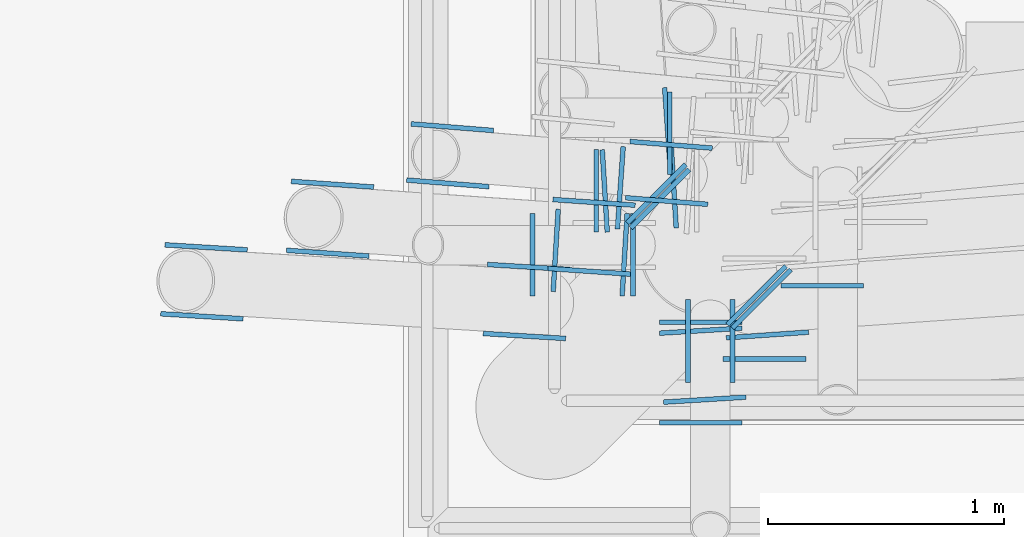
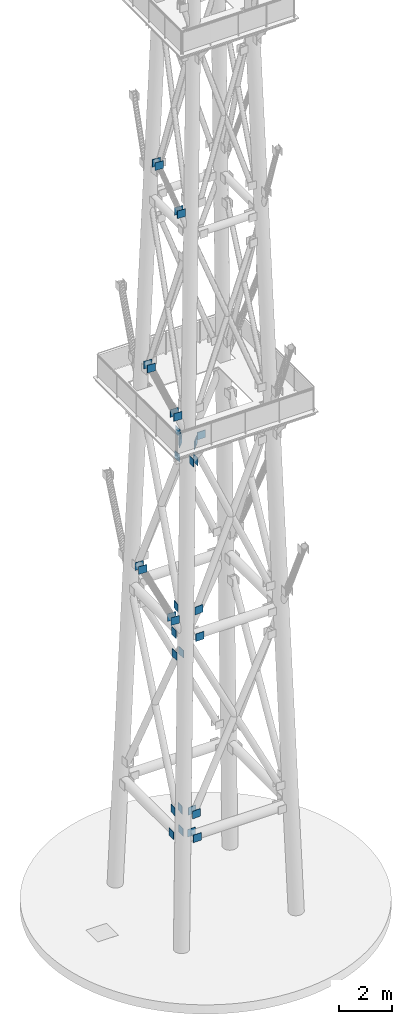
# One storey, part 5 of 25: 35 discrete accessories.
"""IFC4 building model written with IfcOpenShell, lengths in metres."""

from ifc_helpers import new_model, si_unit, direction, frame, origin, origin_2d, place, context, subcontext, project, spatial, rectangle, extrude, element, save


model = new_model("IFC4")

# Units and contexts
model_context = context("Model", 3, precision=1e-05, world=origin(), true_north=direction((0.0, 1.0)))
body_context = subcontext(model_context, "Body", "Model", "MODEL_VIEW")
ifc_project = project(units=[si_unit("LENGTHUNIT", "METRE"), si_unit("AREAUNIT", "SQUARE_METRE"), si_unit("VOLUMEUNIT", "CUBIC_METRE"), si_unit("PLANEANGLEUNIT", "RADIAN"), si_unit("MASSUNIT", "GRAM", prefix="KILO")], contexts=[model_context])

# Site, building, storey
site_placement = place(None, origin())
site = spatial("IfcSite", under=ifc_project, at=site_placement, CompositionType="ELEMENT")
building_placement = place(site_placement, origin())
building = spatial("IfcBuilding", under=site, at=building_placement, Name="Vidyagriha Tower", CompositionType="ELEMENT")
storey_placement = place(building_placement, frame((0.0, 0.0, 318.39990234375)))
storey = spatial("IfcBuildingStorey", under=building, at=storey_placement, Name="RF", CompositionType="ELEMENT", Elevation=318.39990234375)

# Discrete accessories
for number, where, z_axis, x_axis, name in (
    (1, (-2.0380859375, 11.407470703125, 22.650146484375), (0.0, 0.0, 1.0), (0.707106781187, 0.707106781187, 0.0), "End plate ASTM A572 Grade 50 20mm"),
    (2, (-1.592529296875, 10.9619140625, 22.650146484375), (0.0, 0.0, 1.0), (0.707106781187, 0.707106781187, 0.0), "End plate ASTM A572 Grade 50 20mm"),
    (3, (-2.02294921875, 11.386474609375, 22.5498046875), (0.0, 0.0, 1.0), (0.707106781187, 0.707106781187, 0.0), "End plate ASTM A572 Grade 50 20mm"),
    (4, (-1.613525390625, 10.97705078125, 22.5498046875), (0.0, 0.0, 1.0), (0.707106781187, 0.707106781187, 0.0), "End plate ASTM A572 Grade 50 20mm"),
    (5, (-1.85009765625, 10.43701171875, 4.824951171875), (0.0, 0.0, 1.0), (-1.0, 0.0, 0.0), "End plate ASTM A572 Grade 50 20mm"),
    (6, (-1.85009765625, 10.863037109375, 4.824951171875), (0.0, 0.0, 1.0), (-1.0, 0.0, 0.0), "End plate ASTM A572 Grade 50 20mm"),
    (7, (-2.136962890625, 11.14990234375, 4.824951171875), (0.0, 0.0, 1.0), (0.0, -1.0, 0.0), "End plate ASTM A572 Grade 50 20mm"),
    (8, (-2.56298828125, 11.14990234375, 4.824951171875), (0.0, 0.0, 1.0), (0.0, -1.0, 0.0), "End plate ASTM A572 Grade 50 20mm"),
    (9, (-1.580078125, 10.70703125, 13.824951171875), (0.0, 0.0, 1.0), (-1.0, 0.0, 0.0), "End plate ASTM A572 Grade 50 20mm"),
    (10, (-2.29296875, 11.419921875, 13.824951171875), (0.0, 0.0, 1.0), (0.0, -1.0, 0.0), "End plate ASTM A572 Grade 50 20mm"),
    (11, (-1.335693359375, 11.01806640625, 22.824951171875), (0.0, 0.0, 1.0), (-1.0, 0.0, 0.0), "End plate ASTM A572 Grade 50 20mm"),
    (12, (-1.98193359375, 11.664306640625, 22.824951171875), (0.0, 0.0, 1.0), (0.0, -1.0, 0.0), "End plate ASTM A572 Grade 50 20mm"),
    (13, (-1.832763671875, 10.534912109375, 5.85791015625), (0.0, 0.0, 1.0), (-0.998148730357, -0.060820326265, 0.0), "End plate ASTM A572 Grade 50 20mm"),
    (14, (-1.8505859375, 10.8271484375, 5.85791015625), (0.0, 0.0, 1.0), (-0.998148730357, -0.060820326265, 0.0), "End plate ASTM A572 Grade 50 20mm"),
    (15, (-2.57958984375, 11.09716796875, 14.85791015625), (0.0, 0.0, 1.0), (0.998150322287, -0.060794194772, 0.0), "End plate ASTM A572 Grade 50 20mm"),
    (16, (-2.597412109375, 10.8046875, 14.85791015625), (0.0, 0.0, 1.0), (0.998150322287, -0.060794194772, 0.0), "End plate ASTM A572 Grade 50 20mm"),
    (17, (-3.964599609375, 10.88818359375, 17.6357421875), (0.0, 0.0, 1.0), (-0.998150322287, 0.060794194772, 0.0), "End plate ASTM A572 Grade 50 20mm"),
    (18, (-3.947021484375, 11.180419921875, 17.6357421875), (0.0, 0.0, 1.0), (-0.998150322287, 0.060794194772, 0.0), "End plate ASTM A572 Grade 50 20mm"),
    (19, (-1.96484375, 11.437255859375, 12.792236328125), (0.0, 0.0, 1.0), (0.060820326265, -0.998148730357, 0.0), "End plate ASTM A572 Grade 50 20mm"),
    (20, (-2.257080078125, 11.41943359375, 12.792236328125), (0.0, 0.0, 1.0), (0.060820326265, -0.998148730357, 0.0), "End plate ASTM A572 Grade 50 20mm"),
    (21, (-2.1728515625, 11.1494140625, 5.85791015625), (0.0, 0.0, 1.0), (-0.060823810461, -0.998148518048, 0.0), "End plate ASTM A572 Grade 50 20mm"),
    (22, (-2.465087890625, 11.167236328125, 5.85791015625), (0.0, 0.0, 1.0), (-0.060823810461, -0.998148518048, 0.0), "End plate ASTM A572 Grade 50 20mm"),
    (23, (-1.5673828125, 10.808837890625, 14.988037109375), (0.0, 0.0, 1.0), (-0.997601404512, -0.069220211754, 0.0), "End plate ASTM A572 Grade 50 20mm"),
    (24, (-2.302490234375, 11.37109375, 23.988037109375), (0.0, 0.0, 1.0), (0.997599229403, -0.069251552292, 0.0), "End plate ASTM A572 Grade 50 20mm"),
    (25, (-2.32275390625, 11.078857421875, 23.988037109375), (0.0, 0.0, 1.0), (0.997599229403, -0.069251552292, 0.0), "End plate ASTM A572 Grade 50 20mm"),
    (26, (-3.431396484375, 11.15576171875, 26.552978515625), (0.0, 0.0, 1.0), (-0.997599229403, 0.069251552292, 0.0), "End plate ASTM A572 Grade 50 20mm"),
    (27, (-3.4111328125, 11.447998046875, 26.552978515625), (0.0, 0.0, 1.0), (-0.997599229403, 0.069251552292, 0.0), "End plate ASTM A572 Grade 50 20mm"),
    (28, (-1.9912109375, 11.6826171875, 21.662109375), (0.0, 0.0, 1.0), (0.069220211754, -0.997601404512, 0.0), "End plate ASTM A572 Grade 50 20mm"),
    (29, (-2.191162109375, 11.4326171875, 14.988037109375), (0.0, 0.0, 1.0), (-0.069244587734, -0.997599712846, 0.0), "End plate ASTM A572 Grade 50 20mm"),
    (30, (-1.9755859375, 11.614990234375, 33.021240234375), (0.0, 0.0, 1.0), (0.996766829504, -0.080348538256, 0.0), "End plate ASTM A572 Grade 50 20mm"),
    (31, (-1.994873046875, 11.376708984375, 33.021240234375), (0.0, 0.0, 1.0), (0.996766829504, -0.080348538256, 0.0), "End plate ASTM A572 Grade 50 20mm"),
    (32, (-2.92236328125, 11.45166015625, 35.51318359375), (0.0, 0.0, 1.0), (-0.996766829504, 0.080348538256, 0.0), "End plate ASTM A572 Grade 50 20mm"),
    (33, (-2.9033203125, 11.689697265625, 35.51318359375), (0.0, 0.0, 1.0), (-0.996766829504, 0.080348538256, 0.0), "End plate ASTM A572 Grade 50 20mm"),
    (34, (-1.904052734375, 10.783447265625, 21.96337890625), (0.0, 0.0, 1.0), (0.0, 1.0, 0.0), "End plate ASTM A572 Grade 50 20mm"),
    (35, (-1.716064453125, 10.783447265625, 21.96337890625), (0.0, 0.0, 1.0), (0.0, 1.0, 0.0), "End plate ASTM A572 Grade 50 20mm"),
):
    element("IfcDiscreteAccessory", number, at=place(storey_placement, frame(where, z_axis=z_axis, x_axis=x_axis)), inside=storey, Name=name, ObjectType="END PLATE", PredefinedType="USERDEFINED", context=body_context, shape_type="SweptSolid", body=[
        extrude(rectangle(XDim=0.35009765625, YDim=0.02001953125, at=origin_2d()), origin(), (0.0, 0.0, 1.0), 0.35009765625),
    ])

save(model, "model.ifc")
